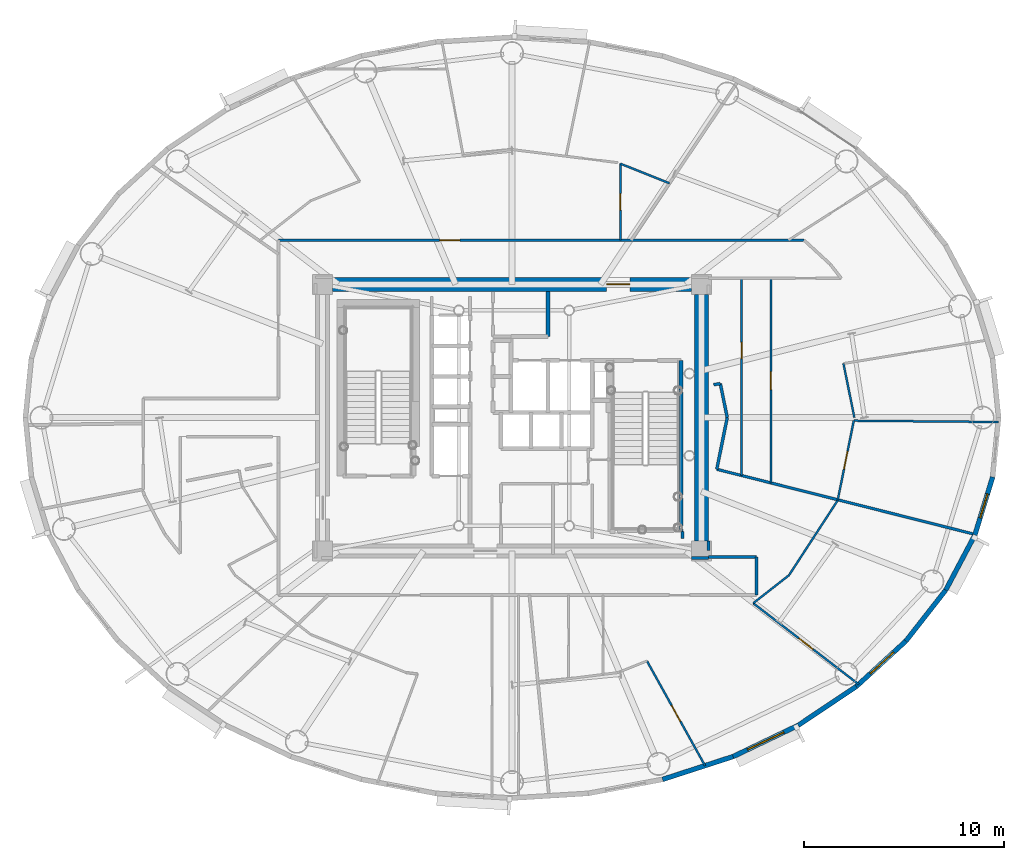
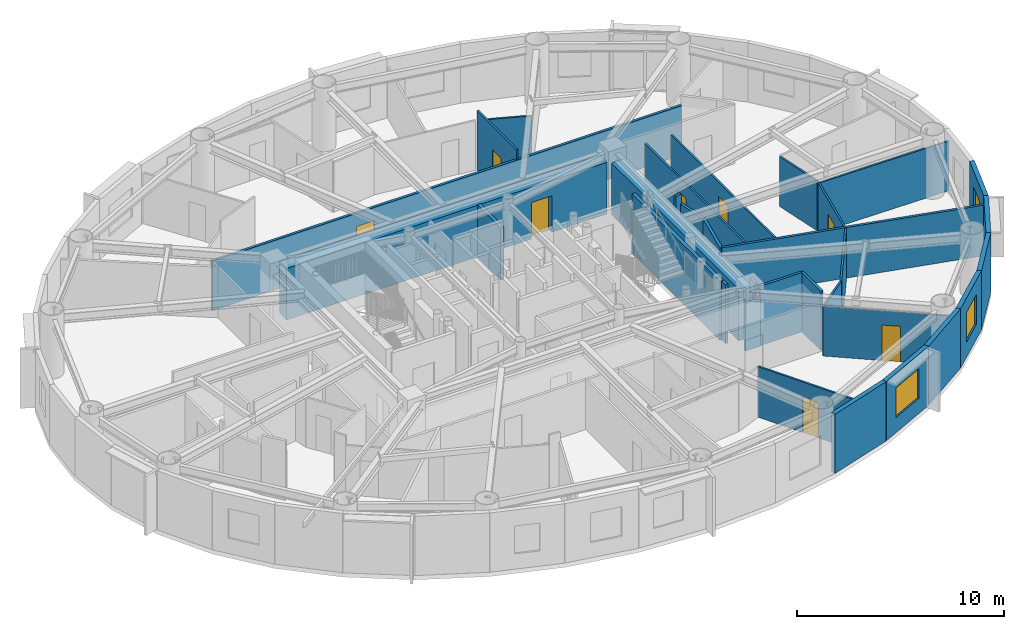
# One storey, part 12 of 21: 32 walls, 8 doors, 3 windows, 11 openings.
"""IFC4 building model written with IfcOpenShell, lengths in metres."""

from ifc_helpers import new_model, si_unit, direction, frame, frame_2d, origin, origin_2d, place, context, subcontext, project, spatial, rectangle, extrude, source, transform, mapped, material, layer, layer_set, type_object, element, fill, save


model = new_model("IFC4")

# Units and contexts
model_context = context("Model", 3, precision=1e-05, world=origin(), true_north=direction((0.0, 1.0)))
body_context = subcontext(model_context, "Body", "Model", "MODEL_VIEW")
ifc_project = project(units=[si_unit("LENGTHUNIT", "METRE"), si_unit("AREAUNIT", "SQUARE_METRE"), si_unit("VOLUMEUNIT", "CUBIC_METRE"), si_unit("PLANEANGLEUNIT", "RADIAN"), si_unit("MASSUNIT", "GRAM", prefix="KILO")], contexts=[model_context])

# Site, building, storey
site_placement = place(None, origin())
site = spatial("IfcSite", under=ifc_project, at=site_placement, CompositionType="ELEMENT")
building_placement = place(site_placement, origin())
building = spatial("IfcBuilding", under=site, at=building_placement, Name="Linh Dai School and Residence Tower", CompositionType="ELEMENT")
storey_placement = place(building_placement, frame((0.0, 0.0, 251.550048828125)))
storey = spatial("IfcBuildingStorey", under=building, at=storey_placement, Name="L62", CompositionType="ELEMENT", Elevation=251.550048828125)

# Wall
ifc_material_1 = material(Name="Precast Concrete B45 (C35/45)", Category="concrete")
ifc_layer_1 = layer(ifc_material_1, 0.239990234375)
ifc_layer_set_1 = layer_set([ifc_layer_1], Name="Precast Concrete B45 (C35/45)")
wall_type_1 = type_object("IfcWallType", Name="EW-TC-240", PredefinedType="SOLIDWALL", material=ifc_layer_set_1)
wall_1_placement = place(storey_placement, frame((47.031005859375, 10.093505859375, 0.0), z_axis=(0.0, 0.0, 1.0), x_axis=(-0.951210789182, -0.308541787354, 0.0)))
element("IfcWall", 1, at=wall_1_placement, inside=storey, type_object=wall_type_1, Name="L62 Terracotta Exterior Wall 33", PredefinedType="SOLIDWALL", context=body_context, shape_type="SweptSolid", body=[
    extrude(rectangle(XDim=3.702392578125, YDim=0.239990234375, at=frame_2d((1.85107421875, 0.0))), origin(), (0.0, 0.0, 1.0), 3.5),
])

# Wall, opening, window
wall_2_placement = place(storey_placement, frame((50.280029296875, 11.65234375, 0.0), z_axis=(0.0, 0.0, 1.0), x_axis=(-0.901598104751, -0.432574684313, 0.0)))
wall_2 = element("IfcWall", 2, at=wall_2_placement, inside=storey, type_object=wall_type_1, Name="L62 Terracotta Exterior Wall 34", PredefinedType="SOLIDWALL", context=body_context, shape_type="SweptSolid", body=[
    extrude(rectangle(XDim=3.603515625, YDim=0.239990234375, at=frame_2d((1.8017578125, 0.0))), origin(), (0.0, 0.0, 1.0), 3.5),
])
opening_1_placement = place(wall_2_placement, frame((0.802001953125, 0.0, 0.89990234375)))
opening_1 = element("IfcOpeningElement", 3, at=opening_1_placement, cuts=wall_2, Name="Opening W1", PredefinedType="OPENING", context=body_context, shape_type="SweptSolid", body=[
    extrude(rectangle(XDim=2.0, YDim=1.75, at=origin_2d()), frame((1.0, 0.1298828125, 0.875), z_axis=(0.0, -1.0, 0.0), x_axis=(1.0, 0.0, 0.0)), (0.0, 0.0, 1.0), 0.260009765625),
])
ifc_material_2 = material(Name="Double Low-E Insulated Glazing", Category="glass")
window_type_1 = type_object("IfcWindowType", Name="WN-RES-2000x1750", PartitioningType="DOUBLE_PANEL_VERTICAL", PredefinedType="WINDOW", material=ifc_material_2)
shared_shape_1 = source(origin(), body_context, "Body", "SweptSolid", [
    extrude(rectangle(XDim=2.0, YDim=1.75, at=origin_2d()), frame((1.0, 0.030029296875, 0.875), z_axis=(0.0, -1.0, 0.0), x_axis=(1.0, 0.0, 0.0)), (0.0, 0.0, 1.0), 0.06005859375),
])
window_1_placement = place(opening_1_placement, origin())
window_1 = element("IfcWindow", 4, at=window_1_placement, inside=storey, type_object=window_type_1, Name="L62 Exterior Window 34.1", OverallHeight=1.75, OverallWidth=2.0, PartitioningType="DOUBLE_PANEL_VERTICAL", PredefinedType="WINDOW", context=body_context, shape_type="MappedRepresentation", body=[
    mapped(shared_shape_1, transform((0.0, 0.0, 0.0), x_axis=(1.0, 0.0, 0.0), y_axis=(0.0, 1.0, 0.0), z_axis=(0.0, 0.0, 1.0), scale=1.0)),
])
fill(opening_1, window_1)

# Wall
wall_3_placement = place(storey_placement, frame((53.17626953125, 13.589111328125, 0.0), z_axis=(0.0, 0.0, 1.0), x_axis=(-0.831262496074, -0.555880079352, 0.0)))
element("IfcWall", 5, at=wall_3_placement, inside=storey, type_object=wall_type_1, Name="L62 Terracotta Exterior Wall 35", PredefinedType="SOLIDWALL", context=body_context, shape_type="SweptSolid", body=[
    extrude(rectangle(XDim=3.484130859375, YDim=0.239990234375, at=frame_2d((1.7421875, 0.0))), origin(), (0.0, 0.0, 1.0), 3.5),
])

# Wall, opening, window
wall_4_placement = place(storey_placement, frame((55.6484375, 15.85546875, 0.0), z_axis=(0.0, 0.0, 1.0), x_axis=(-0.737123922599, -0.675757591694, 0.0)))
wall_4 = element("IfcWall", 6, at=wall_4_placement, inside=storey, type_object=wall_type_1, Name="L62 Terracotta Exterior Wall 36", PredefinedType="SOLIDWALL", context=body_context, shape_type="SweptSolid", body=[
    extrude(rectangle(XDim=3.353759765625, YDim=0.239990234375, at=frame_2d((1.6767578125, 0.0))), origin(), (0.0, 0.0, 1.0), 3.5),
])
opening_2_placement = place(wall_4_placement, frame((0.81298828125, 0.0, 0.89990234375)))
opening_2 = element("IfcOpeningElement", 7, at=opening_2_placement, cuts=wall_4, Name="Opening W2", PredefinedType="OPENING", context=body_context, shape_type="SweptSolid", body=[
    extrude(rectangle(XDim=1.60009765625, YDim=1.75, at=origin_2d()), frame((0.800048828125, 0.1298828125, 0.875), z_axis=(0.0, -1.0, 0.0), x_axis=(1.0, 0.0, 0.0)), (0.0, 0.0, 1.0), 0.260009765625),
])
window_type_2 = type_object("IfcWindowType", Name="WN-RES-1600x1750", PartitioningType="DOUBLE_PANEL_VERTICAL", PredefinedType="WINDOW", material=ifc_material_2)
shared_shape_2 = source(origin(), body_context, "Body", "SweptSolid", [
    extrude(rectangle(XDim=1.60009765625, YDim=1.75, at=origin_2d()), frame((0.800048828125, 0.030029296875, 0.875), z_axis=(0.0, -1.0, 0.0), x_axis=(1.0, 0.0, 0.0)), (0.0, 0.0, 1.0), 0.06005859375),
])
window_2_placement = place(opening_2_placement, origin())
window_2 = element("IfcWindow", 8, at=window_2_placement, inside=storey, type_object=window_type_2, Name="L62 Exterior Window 36.1", OverallHeight=1.75, OverallWidth=1.60009765625, PartitioningType="DOUBLE_PANEL_VERTICAL", PredefinedType="WINDOW", context=body_context, shape_type="MappedRepresentation", body=[
    mapped(shared_shape_2, transform((0.0, 0.0, 0.0), x_axis=(1.0, 0.0, 0.0), y_axis=(0.0, 1.0, 0.0), z_axis=(0.0, 0.0, 1.0), scale=1.0)),
])
fill(opening_2, window_2)

# Walls
wall_5_placement = place(storey_placement, frame((57.6357421875, 18.394775390625, 0.0), z_axis=(0.0, 0.0, 1.0), x_axis=(-0.616312344705, -0.787501805562, 0.0)))
element("IfcWall", 9, at=wall_5_placement, inside=storey, type_object=wall_type_1, Name="L62 Terracotta Exterior Wall 37", PredefinedType="SOLIDWALL", context=body_context, shape_type="SweptSolid", body=[
    extrude(rectangle(XDim=3.224609375, YDim=0.239990234375, at=frame_2d((1.6123046875, 0.0))), origin(), (0.0, 0.0, 1.0), 3.5),
])
wall_6_placement = place(storey_placement, frame((59.09033203125, 21.14404296875, 0.0), z_axis=(0.0, 0.0, 1.0), x_axis=(-0.46766049993, -0.883908172157, 0.0)))
element("IfcWall", 10, at=wall_6_placement, inside=storey, type_object=wall_type_1, Name="L62 Terracotta Exterior Wall 38", PredefinedType="SOLIDWALL", context=body_context, shape_type="SweptSolid", body=[
    extrude(rectangle(XDim=3.1103515625, YDim=0.239990234375, at=frame_2d((1.55517578125, 0.0))), origin(), (0.0, 0.0, 1.0), 3.5),
])

# Wall, opening, window
wall_7_placement = place(storey_placement, frame((59.97705078125, 24.0361328125, 0.0), z_axis=(0.0, 0.0, 1.0), x_axis=(-0.293132907334, -0.95607170162, 0.0)))
wall_7 = element("IfcWall", 11, at=wall_7_placement, inside=storey, type_object=wall_type_1, Name="L62 Terracotta Exterior Wall 39", PredefinedType="SOLIDWALL", context=body_context, shape_type="SweptSolid", body=[
    extrude(rectangle(XDim=3.02490234375, YDim=0.239990234375, at=frame_2d((1.512451171875, 0.0))), origin(), (0.0, 0.0, 1.0), 3.5),
])
opening_3_placement = place(wall_7_placement, frame((0.8798828125, 0.0, 0.89990234375)))
opening_3 = element("IfcOpeningElement", 12, at=opening_3_placement, cuts=wall_7, Name="Opening W3", PredefinedType="OPENING", context=body_context, shape_type="SweptSolid", body=[
    extrude(rectangle(XDim=1.25, YDim=1.64990234375, at=origin_2d()), frame((0.625, 0.1298828125, 0.824951171875), z_axis=(0.0, -1.0, 0.0), x_axis=(1.0, 0.0, 0.0)), (0.0, 0.0, 1.0), 0.260009765625),
])
window_type_3 = type_object("IfcWindowType", Name="WN-RES-1250x1650", PartitioningType="SINGLE_PANEL", PredefinedType="WINDOW", material=ifc_material_2)
shared_shape_3 = source(origin(), body_context, "Body", "SweptSolid", [
    extrude(rectangle(XDim=1.25, YDim=1.64990234375, at=origin_2d()), frame((0.625, 0.030029296875, 0.824951171875), z_axis=(0.0, -1.0, 0.0), x_axis=(1.0, 0.0, 0.0)), (0.0, 0.0, 1.0), 0.06005859375),
])
window_3_placement = place(opening_3_placement, origin())
window_3 = element("IfcWindow", 13, at=window_3_placement, inside=storey, type_object=window_type_3, Name="L62 Exterior Window 39.1", OverallHeight=1.64990234375, OverallWidth=1.25, PartitioningType="SINGLE_PANEL", PredefinedType="WINDOW", context=body_context, shape_type="MappedRepresentation", body=[
    mapped(shared_shape_3, transform((0.0, 0.0, 0.0), x_axis=(1.0, 0.0, 0.0), y_axis=(0.0, 1.0, 0.0), z_axis=(0.0, 0.0, 1.0), scale=1.0)),
])
fill(opening_3, window_3)

# Wall, opening, door
ifc_material_3 = material(Name="Autoclaved Aerated Concrete Blockwork", Category="masonry")
ifc_layer_2 = layer(ifc_material_3, 0.135009765625)
ifc_layer_set_2 = layer_set([ifc_layer_2], Name="Autoclaved Aerated Concrete Blockwork")
wall_type_2 = type_object("IfcWallType", Name="IW-CORR-135-EI90", PredefinedType="PARTITIONING", material=ifc_layer_set_2)
wall_8_placement = place(storey_placement, frame((24.35009765625, 35.85009765625, 0.0), z_axis=(0.0, 0.0, 1.0), x_axis=(1.0, 0.0, 0.0)))
wall_8 = element("IfcWall", 14, at=wall_8_placement, inside=storey, type_object=wall_type_2, Name="L62 Interior Partition Wall 020", PredefinedType="PARTITIONING", context=body_context, shape_type="SweptSolid", body=[
    extrude(rectangle(XDim=26.2177734375, YDim=0.135009765625, at=frame_2d((13.10888671875, 0.0))), origin(), (0.0, 0.0, 1.0), 2.93505859375),
])
opening_4_placement = place(wall_8_placement, frame((8.04541015625, 0.0, 0.0)))
opening_4 = element("IfcOpeningElement", 15, at=opening_4_placement, cuts=wall_8, Name="Opening D03", PredefinedType="OPENING", context=body_context, shape_type="SweptSolid", body=[
    extrude(rectangle(XDim=1.0, YDim=2.14990234375, at=origin_2d()), frame((0.5, 0.07763671875, 1.074951171875), z_axis=(0.0, -1.0, 0.0), x_axis=(1.0, 0.0, 0.0)), (0.0, 0.0, 1.0), 0.155029296875),
])
ifc_material_4 = material(Name="Fire-Rated Solid Timber Entrance Door", Category="wood")
door_type_1 = type_object("IfcDoorType", Name="DR-FLAT-1000x2150-FD60S", OperationType="NOTDEFINED", PredefinedType="DOOR", material=ifc_material_4)
shared_shape_4 = source(origin(), body_context, "Body", "SweptSolid", [
    extrude(rectangle(XDim=1.0, YDim=2.14990234375, at=origin_2d()), frame((0.5, 0.02490234375, 1.074951171875), z_axis=(0.0, -1.0, 0.0), x_axis=(1.0, 0.0, 0.0)), (0.0, 0.0, 1.0), 0.050048828125),
])
door_1_placement = place(opening_4_placement, origin())
door_1 = element("IfcDoor", 16, at=door_1_placement, inside=storey, type_object=door_type_1, Name="L62 U6205 Apartment Entrance Door", OperationType="SINGLE_SWING_RIGHT", OverallHeight=2.14990234375, OverallWidth=1.0, PredefinedType="DOOR", context=body_context, shape_type="MappedRepresentation", body=[
    mapped(shared_shape_4, transform((0.0, 0.0, 0.0), x_axis=(1.0, 0.0, 0.0), y_axis=(0.0, 1.0, 0.0), z_axis=(0.0, 0.0, 1.0), scale=1.0)),
])
fill(opening_4, door_1)

# Walls
wall_9_placement = place(storey_placement, frame((45.800048828125, 20.050048828125, 0.0), z_axis=(0.0, 0.0, 1.0), x_axis=(1.0, 0.0, 0.0)))
element("IfcWall", 17, at=wall_9_placement, inside=storey, type_object=wall_type_2, Name="L62 Interior Partition Wall 076", PredefinedType="PARTITIONING", context=body_context, shape_type="SweptSolid", body=[
    extrude(rectangle(XDim=2.39990234375, YDim=0.135009765625, at=frame_2d((1.199951171875, 0.0))), origin(), (0.0, 0.0, 1.0), 3.5),
])
wall_10_placement = place(storey_placement, frame((46.215087890625, 24.424560546875, 0.0), z_axis=(0.0, 0.0, 1.0), x_axis=(0.969657665326, -0.244466791355, 0.0)))
element("IfcWall", 18, at=wall_10_placement, inside=storey, type_object=wall_type_2, Name="L62 Interior Partition Wall 078", PredefinedType="PARTITIONING", context=body_context, shape_type="SweptSolid", body=[
    extrude(rectangle(XDim=13.293212890625, YDim=0.135009765625, at=frame_2d((6.646484375, 0.0))), origin(), (0.0, 0.0, 1.0), 2.98486328125),
])
wall_11_placement = place(storey_placement, frame((48.199951171875, 18.14990234375, 0.0), z_axis=(0.0, 0.0, 1.0), x_axis=(0.0, 1.0, 0.0)))
element("IfcWall", 19, at=wall_11_placement, inside=storey, type_object=wall_type_2, Name="L62 Interior Partition Wall 082", PredefinedType="PARTITIONING", context=body_context, shape_type="SweptSolid", body=[
    extrude(rectangle(XDim=1.900146484375, YDim=0.135009765625, at=frame_2d((0.9501953125, 0.0))), origin(), (0.0, 0.0, 1.0), 3.5),
])
wall_12_placement = place(storey_placement, frame((44.5, 20.9599609375, 0.0), z_axis=(0.0, 0.0, 1.0), x_axis=(0.0, 1.0, 0.0)))
element("IfcWall", 20, at=wall_12_placement, inside=storey, type_object=wall_type_2, Name="L62 Interior Partition Wall 096", PredefinedType="PARTITIONING", context=body_context, shape_type="SweptSolid", body=[
    extrude(rectangle(XDim=0.360107421875, YDim=0.135009765625, at=frame_2d((0.18017578125, 0.0))), origin(), (0.0, 0.0, 1.0), 3.5),
])
wall_13_placement = place(storey_placement, frame((44.9599609375, 20.0, 0.0), z_axis=(0.0, 0.0, 1.0), x_axis=(1.0, 0.0, 0.0)))
element("IfcWall", 21, at=wall_13_placement, inside=storey, type_object=wall_type_2, Name="L62 Interior Partition Wall 104", PredefinedType="PARTITIONING", context=body_context, shape_type="SweptSolid", body=[
    extrude(rectangle(XDim=0.830078125, YDim=0.135009765625, at=frame_2d((0.4150390625, 0.0))), origin(), (0.0, 0.0, 1.0), 2.93505859375),
])
wall_14_placement = place(storey_placement, frame((45.800048828125, 20.37744140625, 0.0), z_axis=(0.0, 0.0, 1.0), x_axis=(0.0, 1.0, 0.0)))
element("IfcWall", 22, at=wall_14_placement, inside=storey, type_object=wall_type_2, Name="L62 Interior Partition Wall 109", PredefinedType="PARTITIONING", context=body_context, shape_type="SweptSolid", body=[
    extrude(rectangle(XDim=0.462646484375, YDim=0.135009765625, at=frame_2d((0.2314453125, 0.0))), origin(), (0.0, 0.0, 1.0), 3.5),
])
ifc_layer_3 = layer(ifc_material_3, 0.14990234375)
ifc_layer_set_3 = layer_set([ifc_layer_3], Name="Autoclaved Aerated Concrete Blockwork")
wall_type_3 = type_object("IfcWallType", Name="IW-SCH-150-EI60", PredefinedType="PARTITIONING", material=ifc_layer_set_3)
wall_15_placement = place(storey_placement, frame((46.215087890625, 24.424560546875, 0.0), z_axis=(0.0, 0.0, 1.0), x_axis=(0.19827768715, 0.980145886477, 0.0)))
element("IfcWall", 23, at=wall_15_placement, inside=storey, type_object=wall_type_3, Name="L62 Interior Partition Wall 110", PredefinedType="PARTITIONING", context=body_context, shape_type="SweptSolid", body=[
    extrude(rectangle(XDim=2.627685546875, YDim=0.14990234375, at=frame_2d((1.31396484375, 0.0))), origin(), (0.0, 0.0, 1.0), 2.93505859375),
])
wall_16_placement = place(storey_placement, frame((46.736083984375, 27.0, 0.0), z_axis=(0.0, 0.0, 1.0), x_axis=(-0.198367575061, 0.980127698397, 0.0)))
element("IfcWall", 24, at=wall_16_placement, inside=storey, type_object=wall_type_3, Name="L62 Interior Partition Wall 111", PredefinedType="PARTITIONING", context=body_context, shape_type="SweptSolid", body=[
    extrude(rectangle(XDim=1.73046875, YDim=0.14990234375, at=frame_2d((0.865234375, 0.0))), origin(), (0.0, 0.0, 1.0), 2.93505859375),
])
wall_17_placement = place(storey_placement, frame((46.392822265625, 28.69580078125, 0.0), z_axis=(0.0, 0.0, 1.0), x_axis=(-0.986993913165, -0.16075762929, 0.0)))
element("IfcWall", 25, at=wall_17_placement, inside=storey, type_object=wall_type_3, Name="L62 Interior Partition Wall 112", PredefinedType="PARTITIONING", context=body_context, shape_type="SweptSolid", body=[
    extrude(rectangle(XDim=0.337158203125, YDim=0.14990234375, at=frame_2d((0.16845703125, 0.0))), origin(), (0.0, 0.0, 1.0), 3.5),
])
ifc_material_5 = material(Name="Concrete B45 (C35/45)", Category="concrete")
ifc_layer_4 = layer(ifc_material_5, 0.199951171875)
ifc_layer_set_4 = layer_set([ifc_layer_4], Name="Concrete B45 (C35/45)")
wall_type_4 = type_object("IfcWallType", Name="IW-SHAFT-200-EI120", PredefinedType="PARTITIONING", material=ifc_layer_set_4)
wall_18_placement = place(storey_placement, frame((37.800048828125, 31.050048828125, 0.0), z_axis=(0.0, 0.0, 1.0), x_axis=(0.0, 1.0, 0.0)))
element("IfcWall", 26, at=wall_18_placement, inside=storey, type_object=wall_type_4, Name="L62 Interior Partition Wall 058", PredefinedType="PARTITIONING", context=body_context, shape_type="SweptSolid", body=[
    extrude(rectangle(XDim=2.25, YDim=0.199951171875, at=frame_2d((1.125, 0.0))), origin(), (0.0, 0.0, 1.0), 3.0849609375),
])
wall_19_placement = place(storey_placement, frame((44.43994140625, 21.330078125, 0.0), z_axis=(0.0, 0.0, 1.0), x_axis=(0.0, 1.0, 0.0)))
element("IfcWall", 27, at=wall_19_placement, inside=storey, type_object=wall_type_4, Name="L62 Interior Partition Wall 075", PredefinedType="PARTITIONING", context=body_context, shape_type="SweptSolid", body=[
    extrude(rectangle(XDim=8.52001953125, YDim=0.199951171875, at=frame_2d((4.260009765625, 0.0))), origin(), (0.0, 0.0, 1.0), 3.5),
])

# Wall, opening, door
ifc_material_6 = material(Name="Gypsum Plasterboard Acoustic Stud Partition", Category="masonry")
ifc_layer_5 = layer(ifc_material_6, 0.10009765625)
ifc_layer_set_5 = layer_set([ifc_layer_5], Name="Gypsum Plasterboard Acoustic Stud Partition")
wall_type_5 = type_object("IfcWallType", Name="IW-UNIT-100", PredefinedType="PARTITIONING", material=ifc_layer_set_5)
wall_20_placement = place(storey_placement, frame((41.400634765625, 35.85009765625, 0.0), z_axis=(0.0, 0.0, 1.0), x_axis=(0.0, 1.0, 0.0)))
wall_20 = element("IfcWall", 28, at=wall_20_placement, inside=storey, type_object=wall_type_5, Name="L62 Interior Partition Wall 071", PredefinedType="PARTITIONING", context=body_context, shape_type="SweptSolid", body=[
    extrude(rectangle(XDim=3.81982421875, YDim=0.10009765625, at=frame_2d((1.909912109375, 0.0))), origin(), (0.0, 0.0, 1.0), 3.5),
])
opening_5_placement = place(wall_20_placement, frame((1.5, 0.0, 0.0)))
opening_5 = element("IfcOpeningElement", 29, at=opening_5_placement, cuts=wall_20, Name="Opening D06", PredefinedType="OPENING", context=body_context, shape_type="SweptSolid", body=[
    extrude(rectangle(XDim=0.820068359375, YDim=2.10009765625, at=origin_2d()), frame((0.41015625, 0.06005859375, 1.050048828125), z_axis=(0.0, -1.0, 0.0), x_axis=(1.0, 0.0, 0.0)), (0.0, 0.0, 1.0), 0.1201171875),
])
ifc_material_7 = material(Name="Moisture-Resistant Timber Bathroom Door", Category="wood")
door_type_2 = type_object("IfcDoorType", Name="DR-WET-820x2100", OperationType="NOTDEFINED", PredefinedType="DOOR", material=ifc_material_7)
shared_shape_5 = source(origin(), body_context, "Body", "SweptSolid", [
    extrude(rectangle(XDim=0.820068359375, YDim=2.10009765625, at=origin_2d()), frame((0.41015625, 0.02490234375, 1.050048828125), z_axis=(0.0, -1.0, 0.0), x_axis=(1.0, 0.0, 0.0)), (0.0, 0.0, 1.0), 0.050048828125),
])
door_2_placement = place(opening_5_placement, origin())
door_2 = element("IfcDoor", 30, at=door_2_placement, inside=storey, type_object=door_type_2, Name="L62 Apartment U6205 Bathroom 1 Door", OperationType="SINGLE_SWING_RIGHT", OverallHeight=2.10009765625, OverallWidth=0.820068359375, PredefinedType="DOOR", context=body_context, shape_type="MappedRepresentation", body=[
    mapped(shared_shape_5, transform((0.0, 0.0, 0.0), x_axis=(1.0, 0.0, 0.0), y_axis=(0.0, 1.0, 0.0), z_axis=(0.0, 0.0, 1.0), scale=1.0)),
])
fill(opening_5, door_2)

# Wall
wall_21_placement = place(storey_placement, frame((41.400634765625, 39.669921875, 0.0), z_axis=(0.0, 0.0, 1.0), x_axis=(0.92880772077, -0.370562029677, 0.0)))
element("IfcWall", 31, at=wall_21_placement, inside=storey, type_object=wall_type_5, Name="L62 Interior Partition Wall 072", PredefinedType="PARTITIONING", context=body_context, shape_type="SweptSolid", body=[
    extrude(rectangle(XDim=2.641845703125, YDim=0.10009765625, at=frame_2d((1.32080078125, 0.0))), origin(), (0.0, 0.0, 1.0), 2.93505859375),
])

# Wall, opening, door
wall_22_placement = place(storey_placement, frame((42.73193359375, 14.861083984375, 0.0), z_axis=(0.0, 0.0, 1.0), x_axis=(0.485004680322, -0.874511555136, 0.0)))
wall_22 = element("IfcWall", 32, at=wall_22_placement, inside=storey, type_object=wall_type_5, Name="L62 Interior Partition Wall 074", PredefinedType="PARTITIONING", context=body_context, shape_type="SweptSolid", body=[
    extrude(rectangle(XDim=5.97705078125, YDim=0.10009765625, at=frame_2d((2.988525390625, 0.0))), origin(), (0.0, 0.0, 1.0), 2.98486328125),
])
opening_6_placement = place(wall_22_placement, frame((2.53857421875, 0.0, 0.0)))
opening_6 = element("IfcOpeningElement", 33, at=opening_6_placement, cuts=wall_22, Name="Opening D05", PredefinedType="OPENING", context=body_context, shape_type="SweptSolid", body=[
    extrude(rectangle(XDim=0.89990234375, YDim=2.10009765625, at=origin_2d()), frame((0.449951171875, 0.06005859375, 1.050048828125), z_axis=(0.0, -1.0, 0.0), x_axis=(1.0, 0.0, 0.0)), (0.0, 0.0, 1.0), 0.1201171875),
])
ifc_material_8 = material(Name="Engineered Timber Internal Door", Category="wood")
door_type_3 = type_object("IfcDoorType", Name="DR-INT-900x2100", OperationType="NOTDEFINED", PredefinedType="DOOR", material=ifc_material_8)
shared_shape_6 = source(origin(), body_context, "Body", "SweptSolid", [
    extrude(rectangle(XDim=0.89990234375, YDim=2.10009765625, at=origin_2d()), frame((0.449951171875, 0.02490234375, 1.050048828125), z_axis=(0.0, -1.0, 0.0), x_axis=(1.0, 0.0, 0.0)), (0.0, 0.0, 1.0), 0.050048828125),
])
door_3_placement = place(opening_6_placement, origin())
door_3 = element("IfcDoor", 34, at=door_3_placement, inside=storey, type_object=door_type_3, Name="L62 Apartment U6203 Bedroom 1 Door", OperationType="SINGLE_SWING_RIGHT", OverallHeight=2.10009765625, OverallWidth=0.89990234375, PredefinedType="DOOR", context=body_context, shape_type="MappedRepresentation", body=[
    mapped(shared_shape_6, transform((0.0, 0.0, 0.0), x_axis=(1.0, 0.0, 0.0), y_axis=(0.0, 1.0, 0.0), z_axis=(0.0, 0.0, 1.0), scale=1.0)),
])
fill(opening_6, door_3)

wall_23_placement = place(storey_placement, frame((47.453125, 24.1123046875, 0.0), z_axis=(0.0, 0.0, 1.0), x_axis=(0.0, 1.0, 0.0)))
wall_23 = element("IfcWall", 35, at=wall_23_placement, inside=storey, type_object=wall_type_5, Name="L62 Interior Partition Wall 079", PredefinedType="PARTITIONING", context=body_context, shape_type="SweptSolid", body=[
    extrude(rectangle(XDim=9.837646484375, YDim=0.10009765625, at=frame_2d((4.9189453125, 0.0))), origin(), (0.0, 0.0, 1.0), 2.93505859375),
])
opening_7_placement = place(wall_23_placement, frame((5.825439453125, 0.0, 0.0)))
opening_7 = element("IfcOpeningElement", 36, at=opening_7_placement, cuts=wall_23, Name="Opening D06", PredefinedType="OPENING", context=body_context, shape_type="SweptSolid", body=[
    extrude(rectangle(XDim=0.820068359375, YDim=2.10009765625, at=origin_2d()), frame((0.41015625, 0.06005859375, 1.050048828125), z_axis=(0.0, -1.0, 0.0), x_axis=(1.0, 0.0, 0.0)), (0.0, 0.0, 1.0), 0.1201171875),
])
door_4_placement = place(opening_7_placement, origin())
door_4 = element("IfcDoor", 37, at=door_4_placement, inside=storey, type_object=door_type_2, Name="L62 Apartment U6204 Bathroom 1 Door", OperationType="SINGLE_SWING_LEFT", OverallHeight=2.10009765625, OverallWidth=0.820068359375, PredefinedType="DOOR", context=body_context, shape_type="MappedRepresentation", body=[
    mapped(shared_shape_5, transform((0.0, 0.0, 0.0), x_axis=(1.0, 0.0, 0.0), y_axis=(0.0, 1.0, 0.0), z_axis=(0.0, 0.0, 1.0), scale=1.0)),
])
fill(opening_7, door_4)

# Wall
wall_24_placement = place(storey_placement, frame((48.0341796875, 17.74267578125, 0.0), z_axis=(0.0, 0.0, 1.0), x_axis=(0.787427677995, 0.616407050517, 0.0)))
element("IfcWall", 38, at=wall_24_placement, inside=storey, type_object=wall_type_5, Name="L62 Interior Partition Wall 080", PredefinedType="PARTITIONING", context=body_context, shape_type="SweptSolid", body=[
    extrude(rectangle(XDim=2.265625, YDim=0.10009765625, at=frame_2d((1.1328125, 0.0))), origin(), (0.0, 0.0, 1.0), 2.93505859375),
])

# Wall, opening, door
wall_25_placement = place(storey_placement, frame((48.0341796875, 17.74267578125, 0.0), z_axis=(0.0, 0.0, 1.0), x_axis=(0.792617155724, -0.609719644141, 0.0)))
wall_25 = element("IfcWall", 39, at=wall_25_placement, inside=storey, type_object=wall_type_5, Name="L62 Interior Partition Wall 081", PredefinedType="PARTITIONING", context=body_context, shape_type="SweptSolid", body=[
    extrude(rectangle(XDim=6.640869140625, YDim=0.10009765625, at=frame_2d((3.3203125, 0.0))), origin(), (0.0, 0.0, 1.0), 2.93505859375),
])
opening_8_placement = place(wall_25_placement, frame((2.870361328125, 0.0, 0.0)))
opening_8 = element("IfcOpeningElement", 40, at=opening_8_placement, cuts=wall_25, Name="Opening D05", PredefinedType="OPENING", context=body_context, shape_type="SweptSolid", body=[
    extrude(rectangle(XDim=0.89990234375, YDim=2.10009765625, at=origin_2d()), frame((0.449951171875, 0.06005859375, 1.050048828125), z_axis=(0.0, -1.0, 0.0), x_axis=(1.0, 0.0, 0.0)), (0.0, 0.0, 1.0), 0.1201171875),
])
door_5_placement = place(opening_8_placement, origin())
door_5 = element("IfcDoor", 41, at=door_5_placement, inside=storey, type_object=door_type_3, Name="L62 Apartment U6203 Principal Bedroom 2 Door", OperationType="SINGLE_SWING_LEFT", OverallHeight=2.10009765625, OverallWidth=0.89990234375, PredefinedType="DOOR", context=body_context, shape_type="MappedRepresentation", body=[
    mapped(shared_shape_6, transform((0.0, 0.0, 0.0), x_axis=(1.0, 0.0, 0.0), y_axis=(0.0, 1.0, 0.0), z_axis=(0.0, 0.0, 1.0), scale=1.0)),
])
fill(opening_8, door_5)

wall_26_placement = place(storey_placement, frame((48.907958984375, 23.74560546875, 0.0), z_axis=(0.0, 0.0, 1.0), x_axis=(0.0, 1.0, 0.0)))
wall_26 = element("IfcWall", 42, at=wall_26_placement, inside=storey, type_object=wall_type_5, Name="L62 Interior Partition Wall 083", PredefinedType="PARTITIONING", context=body_context, shape_type="SweptSolid", body=[
    extrude(rectangle(XDim=10.204345703125, YDim=0.10009765625, at=frame_2d((5.10205078125, 0.0))), origin(), (0.0, 0.0, 1.0), 2.93505859375),
])
opening_9_placement = place(wall_26_placement, frame((4.652099609375, 0.0, 0.0)))
opening_9 = element("IfcOpeningElement", 43, at=opening_9_placement, cuts=wall_26, Name="Opening D05", PredefinedType="OPENING", context=body_context, shape_type="SweptSolid", body=[
    extrude(rectangle(XDim=0.89990234375, YDim=2.10009765625, at=origin_2d()), frame((0.449951171875, 0.06005859375, 1.050048828125), z_axis=(0.0, -1.0, 0.0), x_axis=(1.0, 0.0, 0.0)), (0.0, 0.0, 1.0), 0.1201171875),
])
door_6_placement = place(opening_9_placement, origin())
door_6 = element("IfcDoor", 44, at=door_6_placement, inside=storey, type_object=door_type_3, Name="L62 Apartment U6204 Kitchen Door", OperationType="SINGLE_SWING_RIGHT", OverallHeight=2.10009765625, OverallWidth=0.89990234375, PredefinedType="DOOR", context=body_context, shape_type="MappedRepresentation", body=[
    mapped(shared_shape_6, transform((0.0, 0.0, 0.0), x_axis=(1.0, 0.0, 0.0), y_axis=(0.0, 1.0, 0.0), z_axis=(0.0, 0.0, 1.0), scale=1.0)),
])
fill(opening_9, door_6)

# Wall
wall_27_placement = place(storey_placement, frame((49.818115234375, 19.13916015625, 0.0), z_axis=(0.0, 0.0, 1.0), x_axis=(0.545406924684, 0.83817139447, 0.0)))
element("IfcWall", 45, at=wall_27_placement, inside=storey, type_object=wall_type_5, Name="L62 Interior Partition Wall 085", PredefinedType="PARTITIONING", context=body_context, shape_type="SweptSolid", body=[
    extrude(rectangle(XDim=4.447998046875, YDim=0.10009765625, at=frame_2d((2.22412109375, 0.0))), origin(), (0.0, 0.0, 1.0), 2.93505859375),
])

# Wall, opening, door
wall_28_placement = place(storey_placement, frame((52.251220703125, 22.902587890625, 0.0), z_axis=(0.0, 0.0, 1.0), x_axis=(0.198227662963, 0.980156004744, 0.0)))
wall_28 = element("IfcWall", 46, at=wall_28_placement, inside=storey, type_object=wall_type_5, Name="L62 Interior Partition Wall 088", PredefinedType="PARTITIONING", context=body_context, shape_type="SweptSolid", body=[
    extrude(rectangle(XDim=4.023681640625, YDim=0.10009765625, at=frame_2d((2.01171875, 0.0))), origin(), (0.0, 0.0, 1.0), 2.93505859375),
])
opening_10_placement = place(wall_28_placement, frame((1.561767578125, 0.0, 0.0)))
opening_10 = element("IfcOpeningElement", 47, at=opening_10_placement, cuts=wall_28, Name="Opening D05", PredefinedType="OPENING", context=body_context, shape_type="SweptSolid", body=[
    extrude(rectangle(XDim=0.89990234375, YDim=2.10009765625, at=origin_2d()), frame((0.449951171875, 0.06005859375, 1.050048828125), z_axis=(0.0, -1.0, 0.0), x_axis=(1.0, 0.0, 0.0)), (0.0, 0.0, 1.0), 0.1201171875),
])
door_7_placement = place(opening_10_placement, origin())
door_7 = element("IfcDoor", 48, at=door_7_placement, inside=storey, type_object=door_type_3, Name="L62 Apartment U6204 Principal Bedroom 1 Door", OperationType="SINGLE_SWING_LEFT", OverallHeight=2.10009765625, OverallWidth=0.89990234375, PredefinedType="DOOR", context=body_context, shape_type="MappedRepresentation", body=[
    mapped(shared_shape_6, transform((0.0, 0.0, 0.0), x_axis=(1.0, 0.0, 0.0), y_axis=(0.0, 1.0, 0.0), z_axis=(0.0, 0.0, 1.0), scale=1.0)),
])
fill(opening_10, door_7)

# Walls
wall_29_placement = place(storey_placement, frame((52.5341796875, 29.697998046875, 0.0), z_axis=(0.0, 0.0, 1.0), x_axis=(0.198315891718, -0.980138157145, 0.0)))
element("IfcWall", 49, at=wall_29_placement, inside=storey, type_object=wall_type_5, Name="L62 Interior Partition Wall 089", PredefinedType="PARTITIONING", context=body_context, shape_type="SweptSolid", body=[
    extrude(rectangle(XDim=2.752685546875, YDim=0.10009765625, at=frame_2d((1.37646484375, 0.0))), origin(), (0.0, 0.0, 1.0), 2.93505859375),
])
wall_30_placement = place(storey_placement, frame((53.048828125, 26.846435546875, 0.0), z_axis=(0.0, 0.0, 1.0), x_axis=(0.999959429593, -0.009007728276, 0.0)))
element("IfcWall", 50, at=wall_30_placement, inside=storey, type_object=wall_type_5, Name="L62 Interior Partition Wall 091", PredefinedType="PARTITIONING", context=body_context, shape_type="SweptSolid", body=[
    extrude(rectangle(XDim=7.20947265625, YDim=0.10009765625, at=frame_2d((3.604736328125, 0.0))), origin(), (0.0, 0.0, 1.0), 2.93505859375),
])

# Wall, opening, door
ifc_layer_6 = layer(ifc_material_5, 0.699951171875)
ifc_layer_set_6 = layer_set([ifc_layer_6], Name="Concrete B45 (C35/45)")
wall_type_6 = type_object("IfcWallType", Name="WL-CORE700", PredefinedType="SHEAR", material=ifc_layer_set_6)
wall_31_placement = place(storey_placement, frame((27.050048828125, 33.64990234375, 0.0), z_axis=(0.0, 0.0, 1.0), x_axis=(1.0, 0.0, 0.0)))
wall_31 = element("IfcWall", 51, at=wall_31_placement, inside=storey, type_object=wall_type_6, Name="L62 Central Core Shear Wall N", PredefinedType="SHEAR", context=body_context, shape_type="SweptSolid", body=[
    extrude(rectangle(XDim=17.89990234375, YDim=0.699951171875, at=frame_2d((8.949951171875, 0.0))), origin(), (0.0, 0.0, 1.0), 3.050048828125),
])
opening_11_placement = place(wall_31_placement, frame((13.675048828125, 0.0, 0.0)))
opening_11 = element("IfcOpeningElement", 52, at=opening_11_placement, cuts=wall_31, Name="Opening D02", PredefinedType="OPENING", context=body_context, shape_type="SweptSolid", body=[
    extrude(rectangle(XDim=1.14990234375, YDim=2.14990234375, at=origin_2d()), frame((0.574951171875, 0.35986328125, 1.074951171875), z_axis=(0.0, -1.0, 0.0), x_axis=(1.0, 0.0, 0.0)), (0.0, 0.0, 1.0), 0.719970703125),
])
ifc_material_9 = material(Name="Fire-Rated Glazed Steel Lobby Door", Category="steel")
door_type_4 = type_object("IfcDoorType", Name="DR-LOBBY-1150x2150-FD90S", OperationType="NOTDEFINED", PredefinedType="DOOR", material=ifc_material_9)
shared_shape_7 = source(origin(), body_context, "Body", "SweptSolid", [
    extrude(rectangle(XDim=1.14990234375, YDim=2.14990234375, at=origin_2d()), frame((0.574951171875, 0.02490234375, 1.074951171875), z_axis=(0.0, -1.0, 0.0), x_axis=(1.0, 0.0, 0.0)), (0.0, 0.0, 1.0), 0.050048828125),
])
door_8_placement = place(opening_11_placement, origin())
door_8 = element("IfcDoor", 53, at=door_8_placement, inside=storey, type_object=door_type_4, Name="L62 Firefighting Lobby Door", OperationType="SINGLE_SWING_RIGHT", OverallHeight=2.14990234375, OverallWidth=1.14990234375, PredefinedType="DOOR", context=body_context, shape_type="MappedRepresentation", body=[
    mapped(shared_shape_7, transform((0.0, 0.0, 0.0), x_axis=(1.0, 0.0, 0.0), y_axis=(0.0, 1.0, 0.0), z_axis=(0.0, 0.0, 1.0), scale=1.0)),
])
fill(opening_11, door_8)

# Wall
wall_32_placement = place(storey_placement, frame((45.449951171875, 33.14990234375, 0.0), z_axis=(0.0, 0.0, 1.0), x_axis=(0.0, -1.0, 0.0)))
element("IfcWall", 54, at=wall_32_placement, inside=storey, type_object=wall_type_6, Name="L62 Central Core Shear Wall E", PredefinedType="SHEAR", context=body_context, shape_type="SweptSolid", body=[
    extrude(rectangle(XDim=12.2998046875, YDim=0.699951171875, at=frame_2d((6.14990234375, 0.0))), origin(), (0.0, 0.0, 1.0), 3.050048828125),
])

save(model, "model.ifc")
